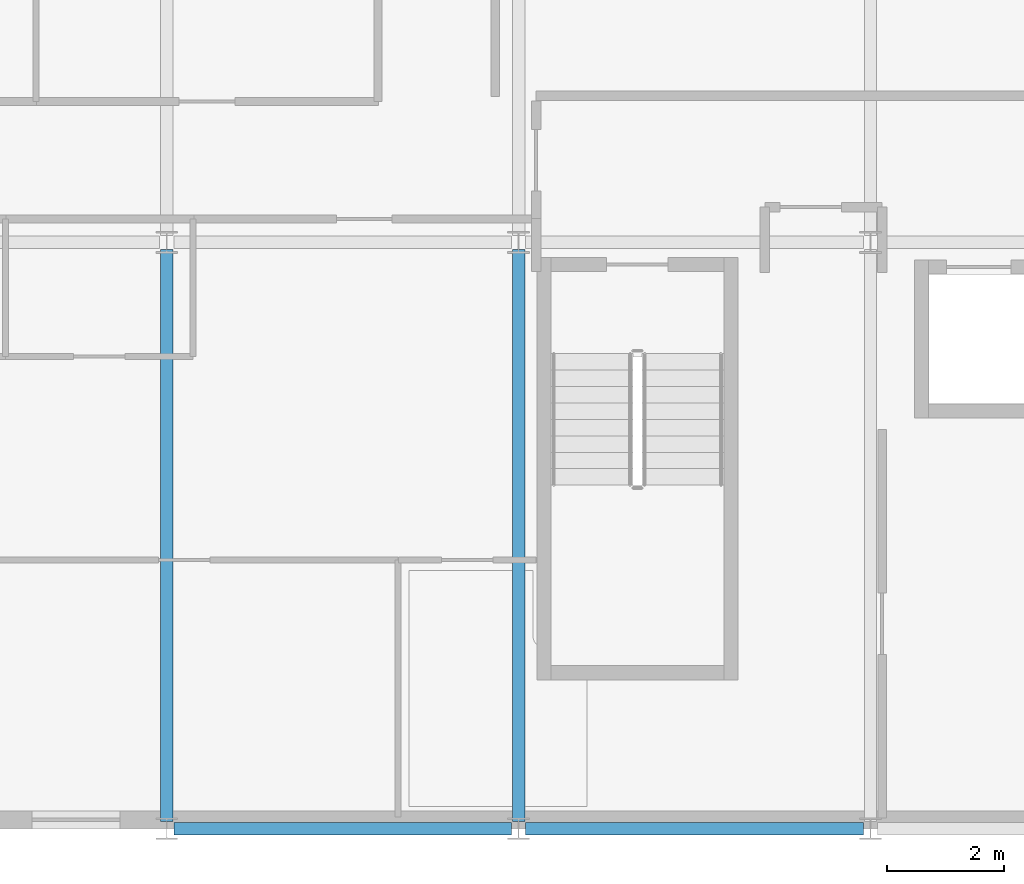
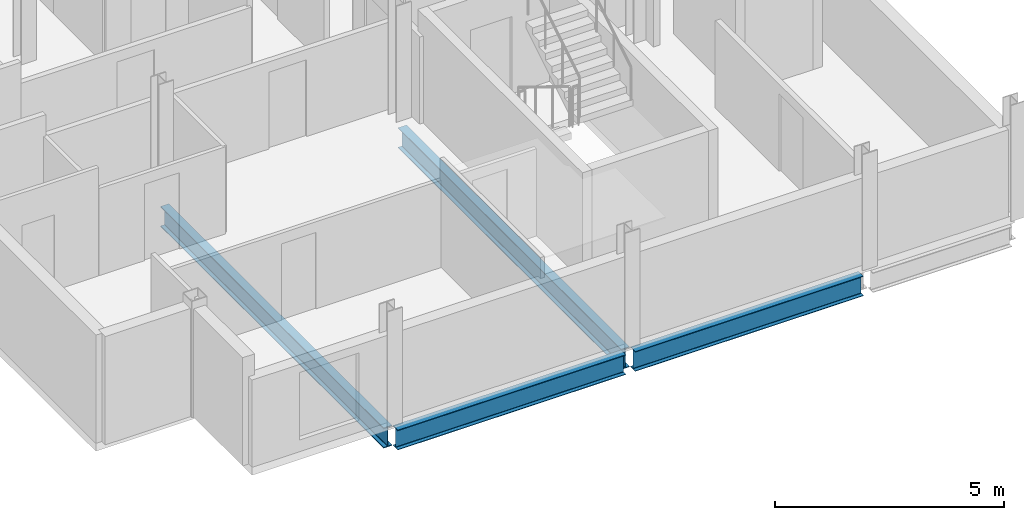
# One storey, part 3 of 30: 4 beams.
"""IFC4 building model written with IfcOpenShell, lengths in metres."""

from ifc_helpers import new_model, si_unit, direction, frame, origin, origin_2d, place, context, subcontext, project, spatial, i_section, extrude, material, material_profile, profile_set, type_object, element, save


model = new_model("IFC4")

# Units and contexts
model_context = context("Model", 3, precision=1e-05, world=origin(), true_north=direction((0.0, 1.0)))
body_context = subcontext(model_context, "Body", "Model", "MODEL_VIEW")
ifc_project = project(units=[si_unit("LENGTHUNIT", "METRE"), si_unit("AREAUNIT", "SQUARE_METRE"), si_unit("VOLUMEUNIT", "CUBIC_METRE"), si_unit("PLANEANGLEUNIT", "RADIAN"), si_unit("MASSUNIT", "GRAM", prefix="KILO")], contexts=[model_context])

# Site, building, storey
site_placement = place(None, origin())
site = spatial("IfcSite", under=ifc_project, at=site_placement, CompositionType="ELEMENT")
building_placement = place(site_placement, origin())
building = spatial("IfcBuilding", under=site, at=building_placement, Name="Brevholm Reach", CompositionType="ELEMENT")
storey_placement = place(building_placement, frame((0.0, 0.0, 204.89990234375)))
storey = spatial("IfcBuildingStorey", under=building, at=storey_placement, Name="L62", CompositionType="ELEMENT", Elevation=204.89990234375)

# Beams
ifc_material_1 = material(Name="Structural Steel S355J2", Category="steel")
ifc_material_profile_1 = material_profile(ifc_material_1, i_section(OverallWidth=0.209228515625, OverallDepth=0.533203125, WebThickness=0.010009765625, FlangeThickness=0.015625, FilletRadius=0.0126953125, at=origin_2d()), Name="UKB 533x210x92")
ifc_profile_set_1 = profile_set([ifc_material_profile_1], Name="Structural Steel S355J2")
beam_type_1 = type_object("IfcBeamType", Name="BM-SP533", PredefinedType="SPANDREL", material=ifc_profile_set_1)
for number, where, z_axis, x_axis, name in (
    (1, (6.1201171875, 0.0, -0.4765625), (1.0, 0.0, 0.0), (0.0, 1.0, 0.0), "L62 SP-02 Framing Beam"),
    (2, (12.1201171875, 0.0, -0.4765625), (1.0, 0.0, 0.0), (0.0, 1.0, 0.0), "L62 SP-02 Framing Beam"),
):
    element("IfcBeam", number, at=place(storey_placement, frame(where, z_axis=z_axis, x_axis=x_axis)), inside=storey, type_object=beam_type_1, Name=name, PredefinedType="SPANDREL", context=body_context, shape_type="SweptSolid", body=[
        extrude(i_section(OverallWidth=0.209228515625, OverallDepth=0.533203125, WebThickness=0.010009765625, FlangeThickness=0.015625, FilletRadius=0.0126953125, at=origin_2d()), origin(), (0.0, 0.0, 1.0), 5.759765625),
    ])
ifc_material_2 = material(Name="Structural Steel S355J2", Category="steel")
ifc_material_profile_2 = material_profile(ifc_material_2, i_section(OverallWidth=0.210693359375, OverallDepth=0.53955078125, WebThickness=0.01171875, FlangeThickness=0.018798828125, FilletRadius=0.0126953125, at=origin_2d()), Name="UKB 533x210x109")
ifc_profile_set_2 = profile_set([ifc_material_profile_2], Name="Structural Steel S355J2")
beam_type_2 = type_object("IfcBeamType", Name="BM-SP539", PredefinedType="SPANDREL", material=ifc_profile_set_2)
for number, where, z_axis, x_axis, name in (
    (3, (6.0, 0.1201171875, -0.479736328125), (0.0, 1.0, 0.0), (-1.0, 0.0, 0.0), "L62 SP-01B Framing Beam"),
    (4, (12.0, 0.1201171875, -0.479736328125), (0.0, 1.0, 0.0), (-1.0, 0.0, 0.0), "L62 SP-01B Framing Beam"),
):
    element("IfcBeam", number, at=place(storey_placement, frame(where, z_axis=z_axis, x_axis=x_axis)), inside=storey, type_object=beam_type_2, Name=name, PredefinedType="SPANDREL", context=body_context, shape_type="SweptSolid", body=[
        extrude(i_section(OverallWidth=0.210693359375, OverallDepth=0.53955078125, WebThickness=0.01171875, FlangeThickness=0.018798828125, FilletRadius=0.0126953125, at=origin_2d()), origin(), (0.0, 0.0, 1.0), 9.759765625),
    ])

save(model, "model.ifc")
